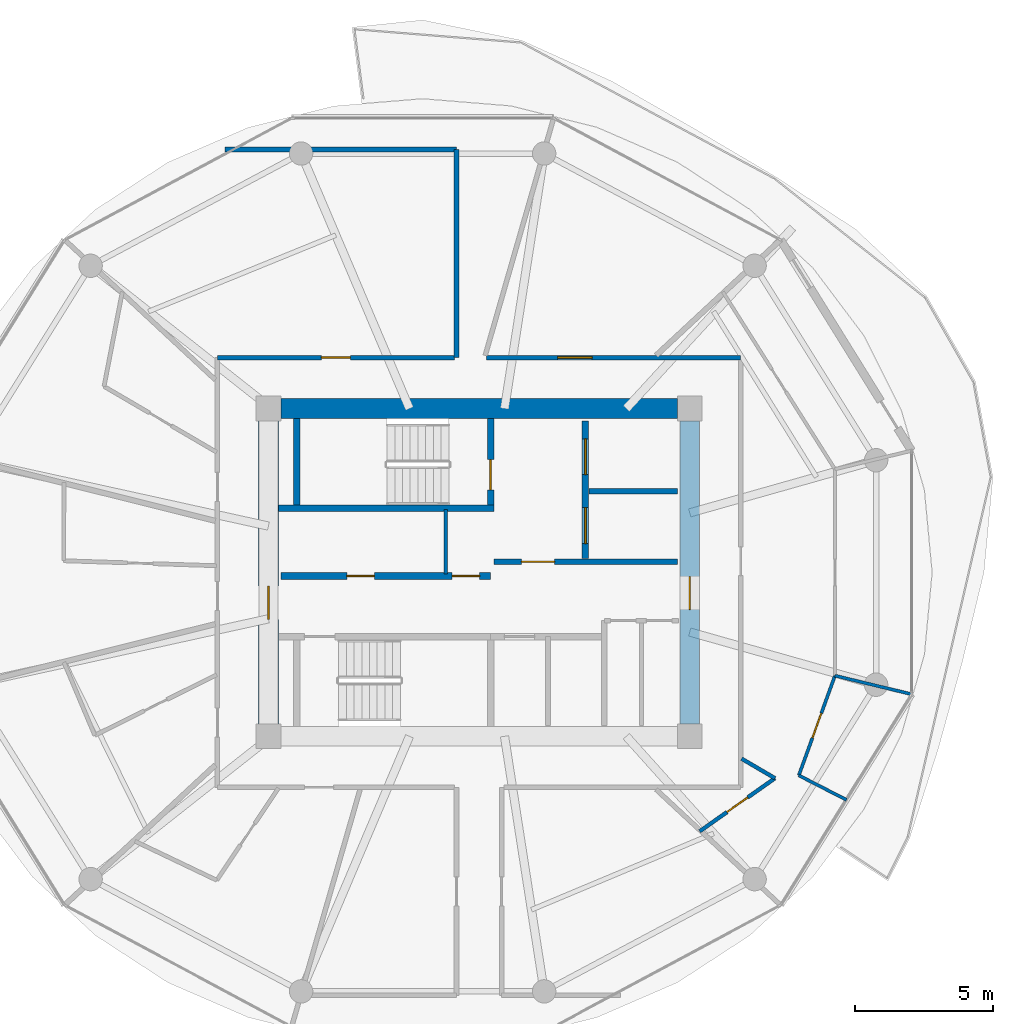
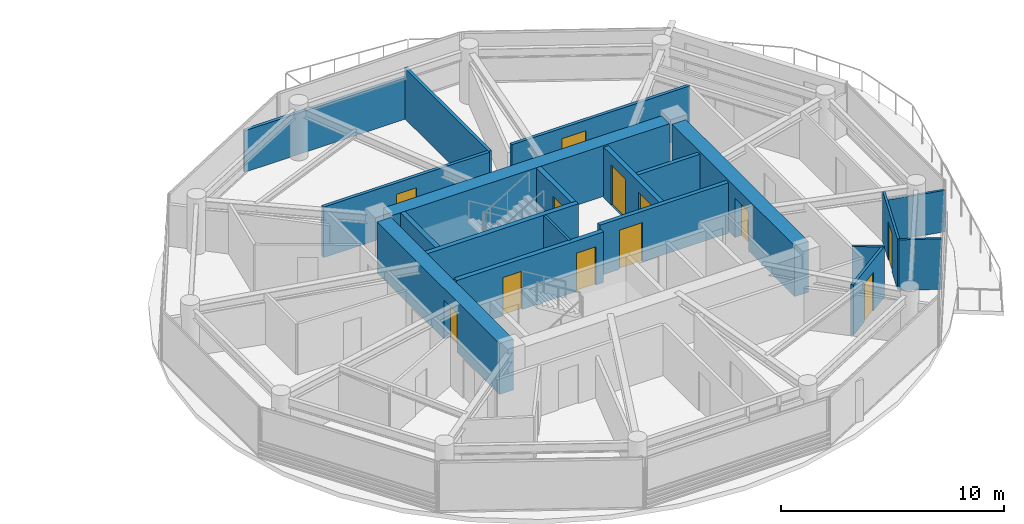
# One storey, part 17 of 24: 20 walls, 12 doors, 12 openings.
"""IFC4 building model written with IfcOpenShell, lengths in metres."""

from ifc_helpers import new_model, si_unit, direction, frame, frame_2d, origin, place, context, subcontext, project, spatial, rectangle, extrude, source, transform, mapped, material, layer, layer_set, type_object, type_shapes, element, fill, save


model = new_model("IFC4")

# Units and contexts
model_context = context("Model", 3, precision=1e-05, world=origin(), true_north=direction((0.0, 1.0)))
body_context = subcontext(model_context, "Body", "Model", "MODEL_VIEW")
ifc_project = project(units=[si_unit("LENGTHUNIT", "METRE"), si_unit("AREAUNIT", "SQUARE_METRE"), si_unit("VOLUMEUNIT", "CUBIC_METRE"), si_unit("PLANEANGLEUNIT", "RADIAN"), si_unit("MASSUNIT", "GRAM", prefix="KILO")], contexts=[model_context])

# Site, building, storey
site_placement = place(None, origin())
site = spatial("IfcSite", under=ifc_project, at=site_placement, CompositionType="ELEMENT")
building_placement = place(site_placement, origin())
building = spatial("IfcBuilding", under=site, at=building_placement, Name="Norrkilde Senior Care Towers", CompositionType="ELEMENT")
storey_placement = place(building_placement, frame((0.0, 0.0, 105.39990234375)))
storey = spatial("IfcBuildingStorey", under=building, at=storey_placement, Name="L32", CompositionType="ELEMENT", Elevation=105.39990234375)

# Wall
ifc_material_1 = material(Name="Concrete C60/75", Category="concrete")
ifc_layer_1 = layer(ifc_material_1, 0.719970703125)
ifc_layer_set_1 = layer_set([ifc_layer_1], Name="Concrete C60/75")
wall_type_1 = type_object("IfcWallType", Name="Core Shear Wall Z2 720", PredefinedType="SHEAR", material=ifc_layer_set_1)
shared_shape_1 = source(origin(), body_context, "Body", "SweptSolid", [
    extrude(rectangle(XDim=14.39990234375, YDim=0.719970703125, at=frame_2d((7.199951171875, 0.0))), origin(), (0.0, 0.0, 1.0), 2.7900390625),
])
wall_1_placement = place(storey_placement, frame((20.800048828125, 5.949951171875, 0.0), z_axis=(0.0, 0.0, 1.0), x_axis=(1.0, 0.0, 0.0)))
element("IfcWall", 1, at=wall_1_placement, inside=storey, type_object=wall_type_1, Name="L32 Core E North Shear Wall", PredefinedType="SHEAR", context=body_context, shape_type="MappedRepresentation", body=[
    mapped(shared_shape_1, transform((0.0, 0.0, 0.0), x_axis=(1.0, 0.0, 0.0), y_axis=(0.0, 1.0, 0.0), z_axis=(0.0, 0.0, 1.0), scale=1.0)),
])

# Wall, opening, door
shared_shape_2 = source(origin(), body_context, "Body", "SweptSolid", [
    extrude(rectangle(XDim=11.0, YDim=0.719970703125, at=frame_2d((5.5, 0.0))), origin(), (0.0, 0.0, 1.0), 2.7900390625),
])
type_shapes(wall_type_1, [shared_shape_1, shared_shape_2])
wall_2_placement = place(storey_placement, frame((20.35009765625, -5.5, 0.0), z_axis=(0.0, 0.0, 1.0), x_axis=(0.0, 1.0, 0.0)))
wall_2 = element("IfcWall", 2, at=wall_2_placement, inside=storey, type_object=wall_type_1, Name="L32 Core E West Shear Wall", PredefinedType="SHEAR", context=body_context, shape_type="MappedRepresentation", body=[
    mapped(shared_shape_2, transform((0.0, 0.0, 0.0), x_axis=(1.0, 0.0, 0.0), y_axis=(0.0, 1.0, 0.0), z_axis=(0.0, 0.0, 1.0), scale=1.0)),
])
opening_1_placement = place(wall_2_placement, frame((3.800048828125, 0.0, 0.0)))
opening_1 = element("IfcOpeningElement", 3, at=opening_1_placement, cuts=wall_2, Name="Opening D-04", PredefinedType="OPENING", context=body_context, shape_type="SweptSolid", body=[
    extrude(rectangle(XDim=1.199951171875, YDim=2.14990234375, at=frame_2d((0.60009765625, 1.074951171875))), frame((0.0, 0.369873046875, 0.0), z_axis=(0.0, -1.0, 0.0), x_axis=(1.0, 0.0, 0.0)), (0.0, 0.0, 1.0), 0.739990234375),
])
ifc_material_2 = material(Name="Galvanised Painted Steel", Category="steel")
door_type_1 = type_object("IfcDoorType", Name="Firefighting Lobby Fire Door 1200x2150", OperationType="NOTDEFINED", PredefinedType="DOOR", material=ifc_material_2)
shared_shape_3 = source(origin(), body_context, "Body", "SweptSolid", [
    extrude(rectangle(XDim=1.199951171875, YDim=2.14990234375, at=frame_2d((0.60009765625, 1.074951171875))), frame((0.0, 0.02490234375, 0.0), z_axis=(0.0, -1.0, 0.0), x_axis=(1.0, 0.0, 0.0)), (0.0, 0.0, 1.0), 0.050048828125),
])
type_shapes(door_type_1, [shared_shape_3])
door_1_placement = place(opening_1_placement, frame((1.199951171875, 0.0, 0.0), z_axis=(0.0, 0.0, 1.0), x_axis=(-1.0, 0.0, 0.0)))
door_1 = element("IfcDoor", 4, at=door_1_placement, inside=storey, type_object=door_type_1, Name="L32 Core E West Portal Door", OperationType="SINGLE_SWING_LEFT", OverallHeight=2.14990234375, OverallWidth=1.199951171875, PredefinedType="DOOR", context=body_context, shape_type="MappedRepresentation", body=[
    mapped(shared_shape_3, transform((0.0, 0.0, 0.0), x_axis=(1.0, 0.0, 0.0), y_axis=(0.0, 1.0, 0.0), z_axis=(0.0, 0.0, 1.0), scale=1.0)),
])
fill(opening_1, door_1)

wall_3_placement = place(storey_placement, frame((35.64990234375, 5.5, 0.0), z_axis=(0.0, 0.0, 1.0), x_axis=(0.0, -1.0, 0.0)))
wall_3 = element("IfcWall", 5, at=wall_3_placement, inside=storey, type_object=wall_type_1, Name="L32 Core E East Shear Wall", PredefinedType="SHEAR", context=body_context, shape_type="MappedRepresentation", body=[
    mapped(shared_shape_2, transform((0.0, 0.0, 0.0), x_axis=(1.0, 0.0, 0.0), y_axis=(0.0, 1.0, 0.0), z_axis=(0.0, 0.0, 1.0), scale=1.0)),
])
opening_2_placement = place(wall_3_placement, frame((5.64990234375, 0.0, 0.0)))
opening_2 = element("IfcOpeningElement", 6, at=opening_2_placement, cuts=wall_3, Name="Opening D-04", PredefinedType="OPENING", context=body_context, shape_type="SweptSolid", body=[
    extrude(rectangle(XDim=1.199951171875, YDim=2.14990234375, at=frame_2d((0.60009765625, 1.074951171875))), frame((0.0, 0.369873046875, 0.0), z_axis=(0.0, -1.0, 0.0), x_axis=(1.0, 0.0, 0.0)), (0.0, 0.0, 1.0), 0.739990234375),
])
door_2_placement = place(opening_2_placement, frame((1.199951171875, 0.0, 0.0), z_axis=(0.0, 0.0, 1.0), x_axis=(-1.0, 0.0, 0.0)))
door_2 = element("IfcDoor", 7, at=door_2_placement, inside=storey, type_object=door_type_1, Name="L32 Core E East Portal Door", OperationType="SINGLE_SWING_RIGHT", OverallHeight=2.14990234375, OverallWidth=1.199951171875, PredefinedType="DOOR", context=body_context, shape_type="MappedRepresentation", body=[
    mapped(shared_shape_3, transform((0.0, 0.0, 0.0), x_axis=(1.0, 0.0, 0.0), y_axis=(0.0, 1.0, 0.0), z_axis=(0.0, 0.0, 1.0), scale=1.0)),
])
fill(opening_2, door_2)

# Wall, openings, doors
ifc_material_3 = material(Name="Concrete C45/55", Category="concrete")
ifc_layer_2 = layer(ifc_material_3, 0.239990234375)
ifc_layer_set_2 = layer_set([ifc_layer_2], Name="Concrete C45/55")
wall_type_2 = type_object("IfcWallType", Name="Lift and Plant Rated Enclosure Partition 240", PredefinedType="PARTITIONING", material=ifc_layer_set_2)
shared_shape_4 = source(origin(), body_context, "Body", "SweptSolid", [
    extrude(rectangle(XDim=5.0, YDim=0.239990234375, at=frame_2d((2.5, 0.0))), origin(), (0.0, 0.0, 1.0), 2.775146484375),
])
wall_4_placement = place(storey_placement, frame((31.860107421875, 0.5, 0.0), z_axis=(0.0, 0.0, 1.0), x_axis=(0.0, 1.0, 0.0)))
wall_4 = element("IfcWall", 8, at=wall_4_placement, inside=storey, type_object=wall_type_2, Name="WL-INT-L32-E-FFLE", PredefinedType="PARTITIONING", context=body_context, shape_type="MappedRepresentation", body=[
    mapped(shared_shape_4, transform((0.0, 0.0, 0.0), x_axis=(1.0, 0.0, 0.0), y_axis=(0.0, 1.0, 0.0), z_axis=(0.0, 0.0, 1.0), scale=1.0)),
])
opening_3_placement = place(wall_4_placement, frame((3.050048828125, 0.0, 0.0)))
opening_3 = element("IfcOpeningElement", 9, at=opening_3_placement, cuts=wall_4, Name="Opening LD-02", PredefinedType="OPENING", context=body_context, shape_type="SweptSolid", body=[
    extrude(rectangle(XDim=1.300048828125, YDim=2.199951171875, at=frame_2d((0.64990234375, 1.10009765625))), frame((0.0, 0.1298828125, 0.0), z_axis=(0.0, -1.0, 0.0), x_axis=(1.0, 0.0, 0.0)), (0.0, 0.0, 1.0), 0.260009765625),
])
opening_4_placement = place(wall_4_placement, frame((0.550048828125, 0.0, 0.0)))
opening_4 = element("IfcOpeningElement", 10, at=opening_4_placement, cuts=wall_4, Name="Opening LD-02", PredefinedType="OPENING", context=body_context, shape_type="SweptSolid", body=[
    extrude(rectangle(XDim=1.300048828125, YDim=2.199951171875, at=frame_2d((0.64990234375, 1.10009765625))), frame((0.0, 0.1298828125, 0.0), z_axis=(0.0, -1.0, 0.0), x_axis=(1.0, 0.0, 0.0)), (0.0, 0.0, 1.0), 0.260009765625),
])
ifc_material_4 = material(Name="Stainless Steel", Category="steel")
door_type_2 = type_object("IfcDoorType", Name="Stretcher and FFL Landing Sliding Door 1300x2200", OperationType="NOTDEFINED", PredefinedType="DOOR", material=ifc_material_4)
shared_shape_5 = source(origin(), body_context, "Body", "SweptSolid", [
    extrude(rectangle(XDim=1.300048828125, YDim=2.199951171875, at=frame_2d((0.64990234375, 1.10009765625))), frame((0.0, 0.02490234375, 0.0), z_axis=(0.0, -1.0, 0.0), x_axis=(1.0, 0.0, 0.0)), (0.0, 0.0, 1.0), 0.050048828125),
])
type_shapes(door_type_2, [shared_shape_5])
door_3_placement = place(opening_3_placement, origin())
door_3 = element("IfcDoor", 11, at=door_3_placement, inside=storey, type_object=door_type_2, Name="L32 Firefighting Lift E1 Landing Door", OperationType="SLIDING_TO_LEFT", OverallHeight=2.199951171875, OverallWidth=1.300048828125, PredefinedType="DOOR", context=body_context, shape_type="MappedRepresentation", body=[
    mapped(shared_shape_5, transform((0.0, 0.0, 0.0), x_axis=(1.0, 0.0, 0.0), y_axis=(0.0, 1.0, 0.0), z_axis=(0.0, 0.0, 1.0), scale=1.0)),
])
fill(opening_3, door_3)
door_4_placement = place(opening_4_placement, origin())
door_4 = element("IfcDoor", 12, at=door_4_placement, inside=storey, type_object=door_type_2, Name="L32 Stretcher Lift E1 Landing Door", OperationType="SLIDING_TO_RIGHT", OverallHeight=2.199951171875, OverallWidth=1.300048828125, PredefinedType="DOOR", context=body_context, shape_type="MappedRepresentation", body=[
    mapped(shared_shape_5, transform((0.0, 0.0, 0.0), x_axis=(1.0, 0.0, 0.0), y_axis=(0.0, 1.0, 0.0), z_axis=(0.0, 0.0, 1.0), scale=1.0)),
])
fill(opening_4, door_4)

# Wall
ifc_layer_3 = layer(ifc_material_3, 0.199951171875)
ifc_layer_set_3 = layer_set([ifc_layer_3], Name="Concrete C45/55")
wall_type_3 = type_object("IfcWallType", Name="Shaft Division and Plant Partition 200", PredefinedType="PARTITIONING", material=ifc_layer_set_3)
shared_shape_6 = source(origin(), body_context, "Body", "SweptSolid", [
    extrude(rectangle(XDim=3.199951171875, YDim=0.199951171875, at=frame_2d((1.60009765625, 0.0))), origin(), (0.0, 0.0, 1.0), 2.775146484375),
])
type_shapes(wall_type_3, [shared_shape_6])
wall_5_placement = place(storey_placement, frame((32.0, 2.949951171875, 0.0), z_axis=(0.0, 0.0, 1.0), x_axis=(1.0, 0.0, 0.0)))
element("IfcWall", 13, at=wall_5_placement, inside=storey, type_object=wall_type_3, Name="WL-INT-L32-E-FFLDIV", PredefinedType="PARTITIONING", context=body_context, shape_type="MappedRepresentation", body=[
    mapped(shared_shape_6, transform((0.0, 0.0, 0.0), x_axis=(1.0, 0.0, 0.0), y_axis=(0.0, 1.0, 0.0), z_axis=(0.0, 0.0, 1.0), scale=1.0)),
])

# Wall, opening, door
ifc_layer_4 = layer(ifc_material_3, 0.2099609375)
ifc_layer_set_4 = layer_set([ifc_layer_4], Name="Concrete C45/55")
wall_type_4 = type_object("IfcWallType", Name="Firefighting Lobby Wall 210", PredefinedType="PARTITIONING", material=ifc_layer_set_4)
shared_shape_7 = source(origin(), body_context, "Body", "SweptSolid", [
    extrude(rectangle(XDim=6.659912109375, YDim=0.2099609375, at=frame_2d((3.330078125, 0.0))), origin(), (0.0, 0.0, 1.0), 2.775146484375),
])
type_shapes(wall_type_4, [shared_shape_7])
wall_6_placement = place(storey_placement, frame((28.5400390625, 0.389892578125, 0.0), z_axis=(0.0, 0.0, 1.0), x_axis=(1.0, 0.0, 0.0)))
wall_6 = element("IfcWall", 14, at=wall_6_placement, inside=storey, type_object=wall_type_4, Name="WL-INT-L32-E-FFLS", PredefinedType="PARTITIONING", context=body_context, shape_type="MappedRepresentation", body=[
    mapped(shared_shape_7, transform((0.0, 0.0, 0.0), x_axis=(1.0, 0.0, 0.0), y_axis=(0.0, 1.0, 0.0), z_axis=(0.0, 0.0, 1.0), scale=1.0)),
])
opening_5_placement = place(wall_6_placement, frame((1.0, 0.0, 0.0)))
opening_5 = element("IfcOpeningElement", 15, at=opening_5_placement, cuts=wall_6, Name="Opening D-04", PredefinedType="OPENING", context=body_context, shape_type="SweptSolid", body=[
    extrude(rectangle(XDim=1.199951171875, YDim=2.14990234375, at=frame_2d((0.60009765625, 1.074951171875))), frame((0.0, 0.114990234375, 0.0), z_axis=(0.0, -1.0, 0.0), x_axis=(1.0, 0.0, 0.0)), (0.0, 0.0, 1.0), 0.22998046875),
])
door_5_placement = place(opening_5_placement, frame((1.199951171875, 0.0, 0.0), z_axis=(0.0, 0.0, 1.0), x_axis=(-1.0, 0.0, 0.0)))
door_5 = element("IfcDoor", 16, at=door_5_placement, inside=storey, type_object=door_type_1, Name="L32 Firefighting Lobby E Door", OperationType="SINGLE_SWING_LEFT", OverallHeight=2.14990234375, OverallWidth=1.199951171875, PredefinedType="DOOR", context=body_context, shape_type="MappedRepresentation", body=[
    mapped(shared_shape_3, transform((0.0, 0.0, 0.0), x_axis=(1.0, 0.0, 0.0), y_axis=(0.0, 1.0, 0.0), z_axis=(0.0, 0.0, 1.0), scale=1.0)),
])
fill(opening_5, door_5)

# Wall, openings, doors
shared_shape_8 = source(origin(), body_context, "Body", "SweptSolid", [
    extrude(rectangle(XDim=7.619873046875, YDim=0.239990234375, at=frame_2d((3.81005859375, 0.0))), origin(), (0.0, 0.0, 1.0), 2.775146484375),
])
type_shapes(wall_type_2, [shared_shape_4, shared_shape_8])
wall_7_placement = place(storey_placement, frame((20.800048828125, -0.1298828125, 0.0), z_axis=(0.0, 0.0, 1.0), x_axis=(1.0, 0.0, 0.0)))
wall_7 = element("IfcWall", 17, at=wall_7_placement, inside=storey, type_object=wall_type_2, Name="WL-INT-L32-E-PKAS", PredefinedType="PARTITIONING", context=body_context, shape_type="MappedRepresentation", body=[
    mapped(shared_shape_8, transform((0.0, 0.0, 0.0), x_axis=(1.0, 0.0, 0.0), y_axis=(0.0, 1.0, 0.0), z_axis=(0.0, 0.0, 1.0), scale=1.0)),
])
opening_6_placement = place(wall_7_placement, frame((6.219970703125, 0.0, 0.0)))
opening_6 = element("IfcOpeningElement", 18, at=opening_6_placement, cuts=wall_7, Name="Opening D-10", PredefinedType="OPENING", context=body_context, shape_type="SweptSolid", body=[
    extrude(rectangle(XDim=1.0, YDim=2.10009765625, at=frame_2d((0.5, 1.050048828125))), frame((0.0, 0.1298828125, 0.0), z_axis=(0.0, -1.0, 0.0), x_axis=(1.0, 0.0, 0.0)), (0.0, 0.0, 1.0), 0.260009765625),
])
opening_7_placement = place(wall_7_placement, frame((2.39990234375, 0.0, 0.0)))
opening_7 = element("IfcOpeningElement", 19, at=opening_7_placement, cuts=wall_7, Name="Opening D-10", PredefinedType="OPENING", context=body_context, shape_type="SweptSolid", body=[
    extrude(rectangle(XDim=1.0, YDim=2.10009765625, at=frame_2d((0.5, 1.050048828125))), frame((0.0, 0.1298828125, 0.0), z_axis=(0.0, -1.0, 0.0), x_axis=(1.0, 0.0, 0.0)), (0.0, 0.0, 1.0), 0.260009765625),
])
door_type_3 = type_object("IfcDoorType", Name="Plant and Riser Rated Door 1000x2100", OperationType="NOTDEFINED", PredefinedType="DOOR", material=ifc_material_2)
shared_shape_9 = source(origin(), body_context, "Body", "SweptSolid", [
    extrude(rectangle(XDim=1.0, YDim=2.10009765625, at=frame_2d((0.5, 1.050048828125))), frame((0.0, 0.02490234375, 0.0), z_axis=(0.0, -1.0, 0.0), x_axis=(1.0, 0.0, 0.0)), (0.0, 0.0, 1.0), 0.050048828125),
])
type_shapes(door_type_3, [shared_shape_9])
door_6_placement = place(opening_6_placement, frame((1.0, 0.0, 0.0), z_axis=(0.0, 0.0, 1.0), x_axis=(-1.0, 0.0, 0.0)))
door_6 = element("IfcDoor", 20, at=door_6_placement, inside=storey, type_object=door_type_3, Name="L32 Electrical Riser E Door", OperationType="SINGLE_SWING_LEFT", OverallHeight=2.10009765625, OverallWidth=1.0, PredefinedType="DOOR", context=body_context, shape_type="MappedRepresentation", body=[
    mapped(shared_shape_9, transform((0.0, 0.0, 0.0), x_axis=(1.0, 0.0, 0.0), y_axis=(0.0, 1.0, 0.0), z_axis=(0.0, 0.0, 1.0), scale=1.0)),
])
fill(opening_6, door_6)
door_7_placement = place(opening_7_placement, frame((1.0, 0.0, 0.0), z_axis=(0.0, 0.0, 1.0), x_axis=(-1.0, 0.0, 0.0)))
door_7 = element("IfcDoor", 21, at=door_7_placement, inside=storey, type_object=door_type_3, Name="L32 Clean Supply Store E Door", OperationType="SINGLE_SWING_LEFT", OverallHeight=2.10009765625, OverallWidth=1.0, PredefinedType="DOOR", context=body_context, shape_type="MappedRepresentation", body=[
    mapped(shared_shape_9, transform((0.0, 0.0, 0.0), x_axis=(1.0, 0.0, 0.0), y_axis=(0.0, 1.0, 0.0), z_axis=(0.0, 0.0, 1.0), scale=1.0)),
])
fill(opening_7, door_7)

# Walls
ifc_material_5 = material(Name="Gypsum Acoustic Board")
ifc_layer_5 = layer(ifc_material_5, 0.114990234375)
ifc_layer_set_5 = layer_set([ifc_layer_5], Name="Gypsum Acoustic Board")
wall_type_5 = type_object("IfcWallType", Name="Internal Room Partition 115", PredefinedType="PARTITIONING", material=ifc_layer_set_5)
shared_shape_10 = source(origin(), body_context, "Body", "SweptSolid", [
    extrude(rectangle(XDim=2.330078125, YDim=0.114990234375, at=frame_2d((1.1650390625, 0.0))), origin(), (0.0, 0.0, 1.0), 2.775146484375),
])
wall_8_placement = place(storey_placement, frame((26.7900390625, -0.050048828125, 0.0), z_axis=(0.0, 0.0, 1.0), x_axis=(0.0, 1.0, 0.0)))
element("IfcWall", 22, at=wall_8_placement, inside=storey, type_object=wall_type_5, Name="WL-INT-L32-E-RISW", PredefinedType="PARTITIONING", context=body_context, shape_type="MappedRepresentation", body=[
    mapped(shared_shape_10, transform((0.0, 0.0, 0.0), x_axis=(1.0, 0.0, 0.0), y_axis=(0.0, 1.0, 0.0), z_axis=(0.0, 0.0, 1.0), scale=1.0)),
])
ifc_layer_6 = layer(ifc_material_3, 0.239990234375)
ifc_layer_set_6 = layer_set([ifc_layer_6], Name="Concrete C45/55")
wall_type_6 = type_object("IfcWallType", Name="Shaft and Stair Enclosure Wall 240", PredefinedType="PARTITIONING", material=ifc_layer_set_6)
shared_shape_11 = source(origin(), body_context, "Body", "SweptSolid", [
    extrude(rectangle(XDim=7.830078125, YDim=0.239990234375, at=frame_2d((3.9150390625, 0.0))), origin(), (0.0, 0.0, 1.0), 2.7900390625),
])
wall_9_placement = place(storey_placement, frame((20.7099609375, 2.330078125, 0.0), z_axis=(0.0, 0.0, 1.0), x_axis=(1.0, 0.0, 0.0)))
element("IfcWall", 23, at=wall_9_placement, inside=storey, type_object=wall_type_6, Name="WL-INT-L32-E-ST1S", PredefinedType="PARTITIONING", context=body_context, shape_type="MappedRepresentation", body=[
    mapped(shared_shape_11, transform((0.0, 0.0, 0.0), x_axis=(1.0, 0.0, 0.0), y_axis=(0.0, 1.0, 0.0), z_axis=(0.0, 0.0, 1.0), scale=1.0)),
])
shared_shape_12 = source(origin(), body_context, "Body", "SweptSolid", [
    extrude(rectangle(XDim=3.14013671875, YDim=0.239990234375, at=frame_2d((1.570068359375, 0.0))), origin(), (0.0, 0.0, 1.0), 2.7900390625),
])
type_shapes(wall_type_6, [shared_shape_11, shared_shape_12])
wall_10_placement = place(storey_placement, frame((21.3798828125, 2.449951171875, 0.0), z_axis=(0.0, 0.0, 1.0), x_axis=(0.0, 1.0, 0.0)))
element("IfcWall", 24, at=wall_10_placement, inside=storey, type_object=wall_type_6, Name="WL-INT-L32-E-ST1W", PredefinedType="PARTITIONING", context=body_context, shape_type="MappedRepresentation", body=[
    mapped(shared_shape_12, transform((0.0, 0.0, 0.0), x_axis=(1.0, 0.0, 0.0), y_axis=(0.0, 1.0, 0.0), z_axis=(0.0, 0.0, 1.0), scale=1.0)),
])

# Wall, opening, door
wall_11_placement = place(storey_placement, frame((28.419921875, 2.449951171875, 0.0), z_axis=(0.0, 0.0, 1.0), x_axis=(0.0, 1.0, 0.0)))
wall_11 = element("IfcWall", 25, at=wall_11_placement, inside=storey, type_object=wall_type_6, Name="WL-INT-L32-E-ST1E", PredefinedType="PARTITIONING", context=body_context, shape_type="MappedRepresentation", body=[
    mapped(shared_shape_12, transform((0.0, 0.0, 0.0), x_axis=(1.0, 0.0, 0.0), y_axis=(0.0, 1.0, 0.0), z_axis=(0.0, 0.0, 1.0), scale=1.0)),
])
opening_8_placement = place(wall_11_placement, frame((0.550048828125, 0.0, 0.0)))
opening_8 = element("IfcOpeningElement", 26, at=opening_8_placement, cuts=wall_11, Name="Opening D-03", PredefinedType="OPENING", context=body_context, shape_type="SweptSolid", body=[
    extrude(rectangle(XDim=1.10009765625, YDim=2.14990234375, at=frame_2d((0.550048828125, 1.074951171875))), frame((0.0, 0.1298828125, 0.0), z_axis=(0.0, -1.0, 0.0), x_axis=(1.0, 0.0, 0.0)), (0.0, 0.0, 1.0), 0.260009765625),
])
door_type_4 = type_object("IfcDoorType", Name="Stairwell Protected Fire Door 1100x2150", OperationType="NOTDEFINED", PredefinedType="DOOR", material=ifc_material_2)
shared_shape_13 = source(origin(), body_context, "Body", "SweptSolid", [
    extrude(rectangle(XDim=1.10009765625, YDim=2.14990234375, at=frame_2d((0.550048828125, 1.074951171875))), frame((0.0, 0.02490234375, 0.0), z_axis=(0.0, -1.0, 0.0), x_axis=(1.0, 0.0, 0.0)), (0.0, 0.0, 1.0), 0.050048828125),
])
type_shapes(door_type_4, [shared_shape_13])
door_8_placement = place(opening_8_placement, origin())
door_8 = element("IfcDoor", 27, at=door_8_placement, inside=storey, type_object=door_type_4, Name="L32 Stair E1 Fire Door", OperationType="SINGLE_SWING_LEFT", OverallHeight=2.14990234375, OverallWidth=1.10009765625, PredefinedType="DOOR", context=body_context, shape_type="MappedRepresentation", body=[
    mapped(shared_shape_13, transform((0.0, 0.0, 0.0), x_axis=(1.0, 0.0, 0.0), y_axis=(0.0, 1.0, 0.0), z_axis=(0.0, 0.0, 1.0), scale=1.0)),
])
fill(opening_8, door_8)

# Walls
shared_shape_14 = source(origin(), body_context, "Body", "SweptSolid", [
    extrude(rectangle(XDim=2.87890625, YDim=0.114990234375, at=frame_2d((1.439453125, 0.0))), origin(), (0.0, 0.0, 1.0), 2.275146484375),
])
wall_12_placement = place(storey_placement, frame((40.9248046875, -3.74951171875, 0.0), z_axis=(0.0, 0.0, 1.0), x_axis=(0.972018140943, -0.234905797454, 0.0)))
element("IfcWall", 28, at=wall_12_placement, inside=storey, type_object=wall_type_5, Name="WL-INT-L32-E-UBR-10-1", PredefinedType="PARTITIONING", context=body_context, shape_type="MappedRepresentation", body=[
    mapped(shared_shape_14, transform((0.0, 0.0, 0.0), x_axis=(1.0, 0.0, 0.0), y_axis=(0.0, 1.0, 0.0), z_axis=(0.0, 0.0, 1.0), scale=1.0)),
])
ifc_layer_7 = layer(ifc_material_5, 0.139892578125)
ifc_layer_set_7 = layer_set([ifc_layer_7], Name="Gypsum Acoustic Board")
wall_type_7 = type_object("IfcWallType", Name="En-suite Wet Room Wall 140", PredefinedType="PARTITIONING", material=ifc_layer_set_7)
shared_shape_15 = source(origin(), body_context, "Body", "SweptSolid", [
    extrude(rectangle(XDim=1.407470703125, YDim=0.139892578125, at=frame_2d((0.70361328125, 0.0))), origin(), (0.0, 0.0, 1.0), 2.775146484375),
])
wall_13_placement = place(storey_placement, frame((37.530029296875, -6.761962890625, 0.0), z_axis=(0.0, 0.0, 1.0), x_axis=(0.863539718977, -0.504280828258, 0.0)))
element("IfcWall", 29, at=wall_13_placement, inside=storey, type_object=wall_type_7, Name="WL-INT-L32-E-UBTS-10", PredefinedType="PARTITIONING", context=body_context, shape_type="MappedRepresentation", body=[
    mapped(shared_shape_15, transform((0.0, 0.0, 0.0), x_axis=(1.0, 0.0, 0.0), y_axis=(0.0, 1.0, 0.0), z_axis=(0.0, 0.0, 1.0), scale=1.0)),
])
shared_shape_16 = source(origin(), body_context, "Body", "SweptSolid", [
    extrude(rectangle(XDim=1.9453125, YDim=0.114990234375, at=frame_2d((0.97265625, 0.0))), origin(), (0.0, 0.0, 1.0), 2.775146484375),
])
wall_14_placement = place(storey_placement, frame((39.611083984375, -7.370361328125, 0.0), z_axis=(0.0, 0.0, 1.0), x_axis=(0.889684148329, -0.456576517368, 0.0)))
element("IfcWall", 30, at=wall_14_placement, inside=storey, type_object=wall_type_5, Name="WL-INT-L32-E-UKTS-10", PredefinedType="PARTITIONING", context=body_context, shape_type="MappedRepresentation", body=[
    mapped(shared_shape_16, transform((0.0, 0.0, 0.0), x_axis=(1.0, 0.0, 0.0), y_axis=(0.0, 1.0, 0.0), z_axis=(0.0, 0.0, 1.0), scale=1.0)),
])

# Wall, opening, door
shared_shape_17 = source(origin(), body_context, "Body", "SweptSolid", [
    extrude(rectangle(XDim=3.8515625, YDim=0.114990234375, at=frame_2d((1.92578125, 0.0))), origin(), (0.0, 0.0, 1.0), 2.775146484375),
])
type_shapes(wall_type_5, [shared_shape_10, shared_shape_14, shared_shape_16, shared_shape_17])
wall_15_placement = place(storey_placement, frame((39.611083984375, -7.370361328125, 0.0), z_axis=(0.0, 0.0, 1.0), x_axis=(0.340653649518, 0.940188859257, 0.0)))
wall_15 = element("IfcWall", 31, at=wall_15_placement, inside=storey, type_object=wall_type_5, Name="WL-INT-L32-E-UKTF-10", PredefinedType="PARTITIONING", context=body_context, shape_type="MappedRepresentation", body=[
    mapped(shared_shape_17, transform((0.0, 0.0, 0.0), x_axis=(1.0, 0.0, 0.0), y_axis=(0.0, 1.0, 0.0), z_axis=(0.0, 0.0, 1.0), scale=1.0)),
])
opening_9_placement = place(wall_15_placement, frame((1.45068359375, 0.0, 0.0)))
opening_9 = element("IfcOpeningElement", 32, at=opening_9_placement, cuts=wall_15, Name="Opening D-07", PredefinedType="OPENING", context=body_context, shape_type="SweptSolid", body=[
    extrude(rectangle(XDim=0.949951171875, YDim=2.10009765625, at=frame_2d((0.47509765625, 1.050048828125))), frame((0.0, 0.0673828125, 0.0), z_axis=(0.0, -1.0, 0.0), x_axis=(1.0, 0.0, 0.0)), (0.0, 0.0, 1.0), 0.135009765625),
])
ifc_material_6 = material(Name="Nordic Ash Timber", Category="wood")
door_type_5 = type_object("IfcDoorType", Name="Internal Suite Bedroom Door 950x2100", OperationType="NOTDEFINED", PredefinedType="DOOR", material=ifc_material_6)
shared_shape_18 = source(origin(), body_context, "Body", "SweptSolid", [
    extrude(rectangle(XDim=0.949951171875, YDim=2.10009765625, at=frame_2d((0.47509765625, 1.050048828125))), frame((0.0, 0.02490234375, 0.0), z_axis=(0.0, -1.0, 0.0), x_axis=(1.0, 0.0, 0.0)), (0.0, 0.0, 1.0), 0.050048828125),
])
type_shapes(door_type_5, [shared_shape_18])
door_9_placement = place(opening_9_placement, frame((0.949951171875, 0.0, 0.0), z_axis=(0.0, 0.0, 1.0), x_axis=(-1.0, 0.0, 0.0)))
door_9 = element("IfcDoor", 33, at=door_9_placement, inside=storey, type_object=door_type_5, Name="Apartment 32E Kitchen Door", OperationType="SINGLE_SWING_LEFT", OverallHeight=2.10009765625, OverallWidth=0.949951171875, PredefinedType="DOOR", context=body_context, shape_type="MappedRepresentation", body=[
    mapped(shared_shape_18, transform((0.0, 0.0, 0.0), x_axis=(1.0, 0.0, 0.0), y_axis=(0.0, 1.0, 0.0), z_axis=(0.0, 0.0, 1.0), scale=1.0)),
])
fill(opening_9, door_9)

ifc_layer_8 = layer(ifc_material_5, 0.1650390625)
ifc_layer_set_8 = layer_set([ifc_layer_8], Name="Gypsum Acoustic Board")
wall_type_8 = type_object("IfcWallType", Name="Corridor Rated Partition 165", PredefinedType="PARTITIONING", material=ifc_layer_set_8)
shared_shape_19 = source(origin(), body_context, "Body", "SweptSolid", [
    extrude(rectangle(XDim=8.60009765625, YDim=0.1650390625, at=frame_2d((4.300048828125, 0.0))), origin(), (0.0, 0.0, 1.0), 2.775146484375),
])
wall_16_placement = place(storey_placement, frame((18.5, 7.800048828125, 0.0), z_axis=(0.0, 0.0, 1.0), x_axis=(1.0, 0.0, 0.0)))
wall_16 = element("IfcWall", 34, at=wall_16_placement, inside=storey, type_object=wall_type_8, Name="WL-INT-L32-E-CRW-N-0", PredefinedType="PARTITIONING", context=body_context, shape_type="MappedRepresentation", body=[
    mapped(shared_shape_19, transform((0.0, 0.0, 0.0), x_axis=(1.0, 0.0, 0.0), y_axis=(0.0, 1.0, 0.0), z_axis=(0.0, 0.0, 1.0), scale=1.0)),
])
opening_10_placement = place(wall_16_placement, frame((3.77490234375, 0.0, 0.0)))
opening_10 = element("IfcOpeningElement", 35, at=opening_10_placement, cuts=wall_16, Name="Opening D-06", PredefinedType="OPENING", context=body_context, shape_type="SweptSolid", body=[
    extrude(rectangle(XDim=1.050048828125, YDim=2.14990234375, at=frame_2d((0.52490234375, 1.074951171875))), frame((0.0, 0.092529296875, 0.0), z_axis=(0.0, -1.0, 0.0), x_axis=(1.0, 0.0, 0.0)), (0.0, 0.0, 1.0), 0.18505859375),
])
door_type_6 = type_object("IfcDoorType", Name="Apartment Entrance Fire Door 1050x2150", OperationType="NOTDEFINED", PredefinedType="DOOR", material=ifc_material_6)
shared_shape_20 = source(origin(), body_context, "Body", "SweptSolid", [
    extrude(rectangle(XDim=1.050048828125, YDim=2.14990234375, at=frame_2d((0.52490234375, 1.074951171875))), frame((0.0, 0.02490234375, 0.0), z_axis=(0.0, -1.0, 0.0), x_axis=(1.0, 0.0, 0.0)), (0.0, 0.0, 1.0), 0.050048828125),
])
type_shapes(door_type_6, [shared_shape_20])
door_10_placement = place(opening_10_placement, frame((1.050048828125, 0.0, 0.0), z_axis=(0.0, 0.0, 1.0), x_axis=(-1.0, 0.0, 0.0)))
door_10 = element("IfcDoor", 36, at=door_10_placement, inside=storey, type_object=door_type_6, Name="L32 Reading Lounge NWL Door", OperationType="SINGLE_SWING_RIGHT", OverallHeight=2.14990234375, OverallWidth=1.050048828125, PredefinedType="DOOR", context=body_context, shape_type="MappedRepresentation", body=[
    mapped(shared_shape_20, transform((0.0, 0.0, 0.0), x_axis=(1.0, 0.0, 0.0), y_axis=(0.0, 1.0, 0.0), z_axis=(0.0, 0.0, 1.0), scale=1.0)),
])
fill(opening_10, door_10)

shared_shape_21 = source(origin(), body_context, "Body", "SweptSolid", [
    extrude(rectangle(XDim=9.234130859375, YDim=0.1650390625, at=frame_2d((4.6171875, 0.0))), origin(), (0.0, 0.0, 1.0), 2.775146484375),
])
wall_17_placement = place(storey_placement, frame((28.265869140625, 7.800048828125, 0.0), z_axis=(0.0, 0.0, 1.0), x_axis=(1.0, 0.0, 0.0)))
wall_17 = element("IfcWall", 37, at=wall_17_placement, inside=storey, type_object=wall_type_8, Name="WL-INT-L32-E-CRW-N-1", PredefinedType="PARTITIONING", context=body_context, shape_type="MappedRepresentation", body=[
    mapped(shared_shape_21, transform((0.0, 0.0, 0.0), x_axis=(1.0, 0.0, 0.0), y_axis=(0.0, 1.0, 0.0), z_axis=(0.0, 0.0, 1.0), scale=1.0)),
])
opening_11_placement = place(wall_17_placement, frame((2.588134765625, 0.0, 0.0)))
opening_11 = element("IfcOpeningElement", 38, at=opening_11_placement, cuts=wall_17, Name="Opening D-05", PredefinedType="OPENING", context=body_context, shape_type="SweptSolid", body=[
    extrude(rectangle(XDim=1.25, YDim=2.199951171875, at=frame_2d((0.625, 1.10009765625))), frame((0.0, 0.092529296875, 0.0), z_axis=(0.0, -1.0, 0.0), x_axis=(1.0, 0.0, 0.0)), (0.0, 0.0, 1.0), 0.18505859375),
])
door_type_7 = type_object("IfcDoorType", Name="Care Bedroom Bariatric Door 1250x2200", OperationType="NOTDEFINED", PredefinedType="DOOR", material=ifc_material_6)
shared_shape_22 = source(origin(), body_context, "Body", "SweptSolid", [
    extrude(rectangle(XDim=1.25, YDim=2.199951171875, at=frame_2d((0.625, 1.10009765625))), frame((0.0, 0.02490234375, 0.0), z_axis=(0.0, -1.0, 0.0), x_axis=(1.0, 0.0, 0.0)), (0.0, 0.0, 1.0), 0.050048828125),
])
type_shapes(door_type_7, [shared_shape_22])
door_11_placement = place(opening_11_placement, frame((1.25, 0.0, 0.0), z_axis=(0.0, 0.0, 1.0), x_axis=(-1.0, 0.0, 0.0)))
door_11 = element("IfcDoor", 39, at=door_11_placement, inside=storey, type_object=door_type_7, Name="L32 Senior Wellness Library Lounge Door", OperationType="SINGLE_SWING_RIGHT", OverallHeight=2.199951171875, OverallWidth=1.25, PredefinedType="DOOR", context=body_context, shape_type="MappedRepresentation", body=[
    mapped(shared_shape_22, transform((0.0, 0.0, 0.0), x_axis=(1.0, 0.0, 0.0), y_axis=(0.0, 1.0, 0.0), z_axis=(0.0, 0.0, 1.0), scale=1.0)),
])
fill(opening_11, door_11)

# Walls
shared_shape_23 = source(origin(), body_context, "Body", "SweptSolid", [
    extrude(rectangle(XDim=7.56005859375, YDim=0.1650390625, at=frame_2d((3.780029296875, 0.0))), origin(), (0.0, 0.0, 1.0), 2.775146484375),
])
wall_18_placement = place(storey_placement, frame((27.179931640625, 7.800048828125, 0.0), z_axis=(0.0, 0.0, 1.0), x_axis=(0.0, 1.0, 0.0)))
element("IfcWall", 40, at=wall_18_placement, inside=storey, type_object=wall_type_8, Name="WL-INT-L32-E-PKW-NWL", PredefinedType="PARTITIONING", context=body_context, shape_type="MappedRepresentation", body=[
    mapped(shared_shape_23, transform((0.0, 0.0, 0.0), x_axis=(1.0, 0.0, 0.0), y_axis=(0.0, 1.0, 0.0), z_axis=(0.0, 0.0, 1.0), scale=1.0)),
])
shared_shape_24 = source(origin(), body_context, "Body", "SweptSolid", [
    extrude(rectangle(XDim=8.406982421875, YDim=0.1650390625, at=frame_2d((4.20361328125, 0.0))), origin(), (0.0, 0.0, 1.0), 2.275146484375),
])
type_shapes(wall_type_8, [shared_shape_19, shared_shape_21, shared_shape_23, shared_shape_24])
wall_19_placement = place(storey_placement, frame((18.77294921875, 15.360107421875, 0.0), z_axis=(0.0, 0.0, 1.0), x_axis=(1.0, 0.0, 0.0)))
element("IfcWall", 41, at=wall_19_placement, inside=storey, type_object=wall_type_8, Name="WL-INT-L32-E-PKH-NWL-0", PredefinedType="PARTITIONING", context=body_context, shape_type="MappedRepresentation", body=[
    mapped(shared_shape_24, transform((0.0, 0.0, 0.0), x_axis=(1.0, 0.0, 0.0), y_axis=(0.0, 1.0, 0.0), z_axis=(0.0, 0.0, 1.0), scale=1.0)),
])

# Wall, opening, door
shared_shape_25 = source(origin(), body_context, "Body", "SweptSolid", [
    extrude(rectangle(XDim=3.346923828125, YDim=0.139892578125, at=frame_2d((1.67333984375, 0.0))), origin(), (0.0, 0.0, 1.0), 2.775146484375),
])
type_shapes(wall_type_7, [shared_shape_15, shared_shape_25])
wall_20_placement = place(storey_placement, frame((38.745361328125, -7.4716796875, 0.0), z_axis=(0.0, 0.0, 1.0), x_axis=(-0.81705680263, -0.576557179537, 0.0)))
wall_20 = element("IfcWall", 42, at=wall_20_placement, inside=storey, type_object=wall_type_7, Name="WL-INT-L32-E-UBTF-10", PredefinedType="PARTITIONING", context=body_context, shape_type="MappedRepresentation", body=[
    mapped(shared_shape_25, transform((0.0, 0.0, 0.0), x_axis=(1.0, 0.0, 0.0), y_axis=(0.0, 1.0, 0.0), z_axis=(0.0, 0.0, 1.0), scale=1.0)),
])
opening_12_placement = place(wall_20_placement, frame((1.213623046875, 0.0, 0.0)))
opening_12 = element("IfcOpeningElement", 43, at=opening_12_placement, cuts=wall_20, Name="Opening D-08", PredefinedType="OPENING", context=body_context, shape_type="SweptSolid", body=[
    extrude(rectangle(XDim=0.919921875, YDim=2.10009765625, at=frame_2d((0.4599609375, 1.050048828125))), frame((0.0, 0.079833984375, 0.0), z_axis=(0.0, -1.0, 0.0), x_axis=(1.0, 0.0, 0.0)), (0.0, 0.0, 1.0), 0.159912109375),
])
door_type_8 = type_object("IfcDoorType", Name="Accessible Wet Room Door 920x2100", OperationType="NOTDEFINED", PredefinedType="DOOR", material=ifc_material_6)
shared_shape_26 = source(origin(), body_context, "Body", "SweptSolid", [
    extrude(rectangle(XDim=0.919921875, YDim=2.10009765625, at=frame_2d((0.4599609375, 1.050048828125))), frame((0.0, 0.02490234375, 0.0), z_axis=(0.0, -1.0, 0.0), x_axis=(1.0, 0.0, 0.0)), (0.0, 0.0, 1.0), 0.050048828125),
])
type_shapes(door_type_8, [shared_shape_26])
door_12_placement = place(opening_12_placement, origin())
door_12 = element("IfcDoor", 44, at=door_12_placement, inside=storey, type_object=door_type_8, Name="Apartment 32E Bathroom Door", OperationType="SINGLE_SWING_RIGHT", OverallHeight=2.10009765625, OverallWidth=0.919921875, PredefinedType="DOOR", context=body_context, shape_type="MappedRepresentation", body=[
    mapped(shared_shape_26, transform((0.0, 0.0, 0.0), x_axis=(1.0, 0.0, 0.0), y_axis=(0.0, 1.0, 0.0), z_axis=(0.0, 0.0, 1.0), scale=1.0)),
])
fill(opening_12, door_12)

save(model, "model.ifc")
